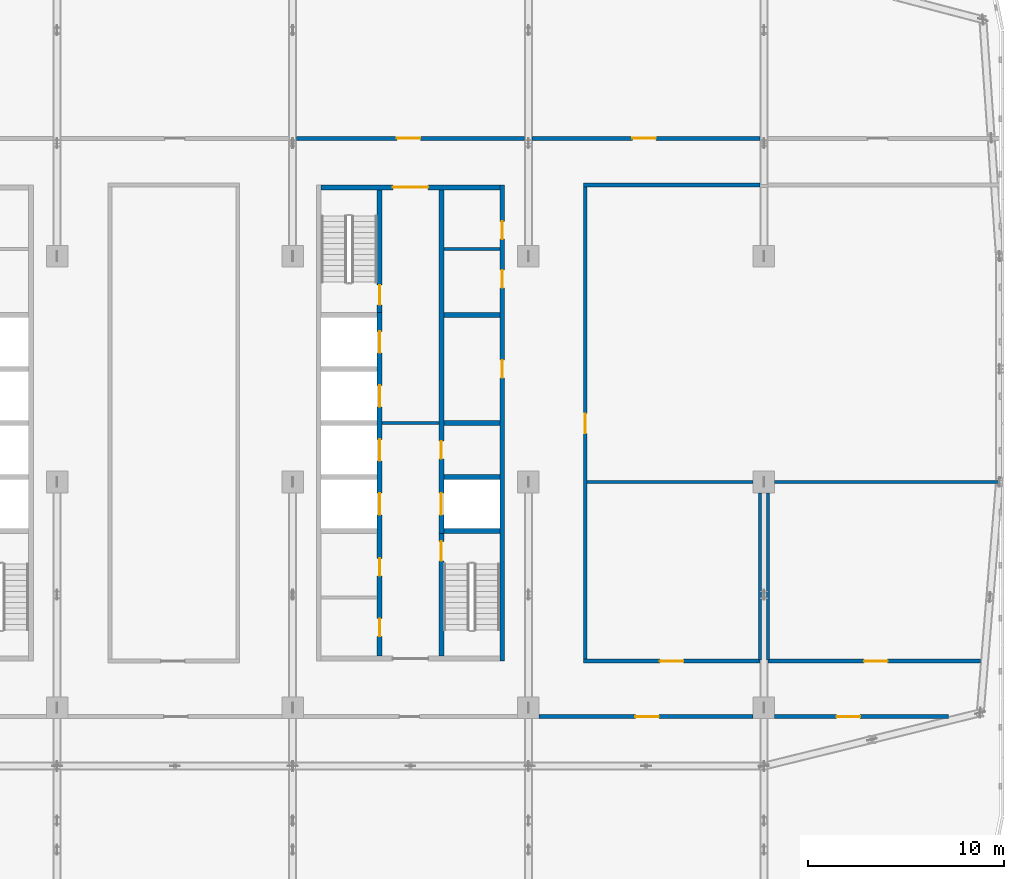
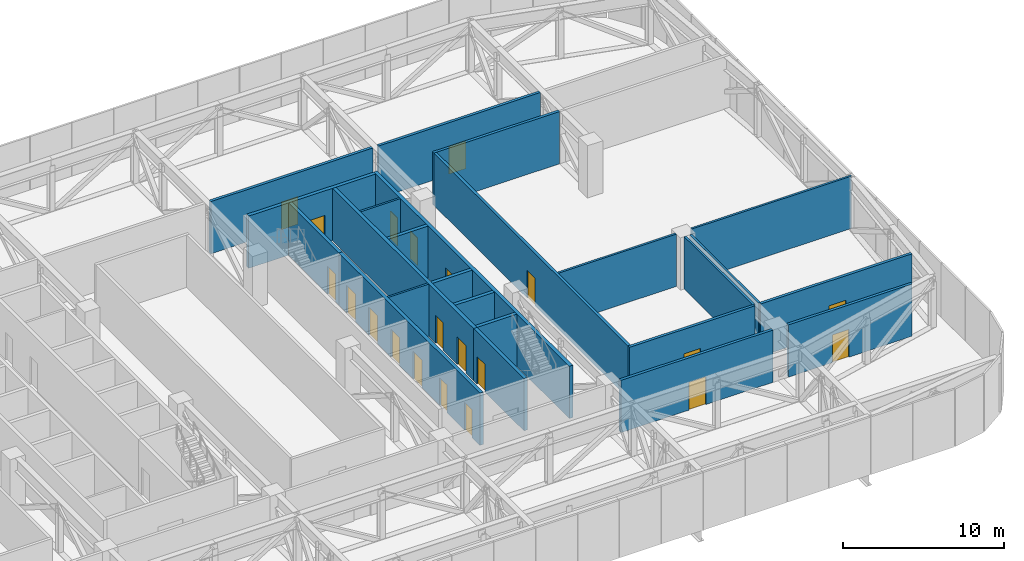
# One storey, part 15 of 28: 24 walls, 21 doors, 21 openings.
"""IFC4 building model written with IfcOpenShell, lengths in metres."""

from ifc_helpers import new_model, si_unit, direction, frame, frame_2d, origin, place, context, subcontext, project, spatial, rectangle, extrude, material, layer, layer_set, type_object, element, fill, save


model = new_model("IFC4")

# Units and contexts
model_context = context("Model", 3, precision=1e-05, world=origin(), true_north=direction((0.0, 1.0)))
body_context = subcontext(model_context, "Body", "Model", "MODEL_VIEW")
ifc_project = project(units=[si_unit("LENGTHUNIT", "METRE"), si_unit("AREAUNIT", "SQUARE_METRE"), si_unit("VOLUMEUNIT", "CUBIC_METRE"), si_unit("PLANEANGLEUNIT", "RADIAN"), si_unit("MASSUNIT", "GRAM", prefix="KILO")], contexts=[model_context])

# Site, building, storey
site_placement = place(None, origin())
site = spatial("IfcSite", under=ifc_project, at=site_placement, CompositionType="ELEMENT")
building_placement = place(site_placement, origin())
building = spatial("IfcBuilding", under=site, at=building_placement, Name="Mahtab Terrace Research Tower", CompositionType="ELEMENT")
storey_placement = place(building_placement, frame((0.0, 0.0, 224.300048828125)))
storey = spatial("IfcBuildingStorey", under=building, at=storey_placement, Name="L54", CompositionType="ELEMENT", Elevation=224.300048828125)

# Walls
ifc_material_1 = material(Name="Gypsum board partition")
ifc_layer_1 = layer(ifc_material_1, 0.14990234375)
ifc_layer_set_1 = layer_set([ifc_layer_1], Name="Core partition 150")
wall_type_1 = type_object("IfcWallType", Name="Core partition 150", PredefinedType="PARTITIONING", material=ifc_layer_set_1)
wall_1_placement = place(storey_placement, frame((22.550048828125, 3.0, 0.0), z_axis=(0.0, 0.0, 1.0), x_axis=(1.0, 0.0, 0.0)))
element("IfcWall", 1, at=wall_1_placement, inside=storey, type_object=wall_type_1, Name="Core wall C ffl", PredefinedType="PARTITIONING", context=body_context, shape_type="SweptSolid", body=[
    extrude(rectangle(XDim=2.89990234375, YDim=0.14990234375, at=frame_2d((1.449951171875, 0.0))), origin(), (0.0, 0.0, 1.0), 3.9599609375),
])
wall_2_placement = place(storey_placement, frame((25.699951171875, 11.875, 0.0), z_axis=(0.0, 0.0, 1.0), x_axis=(1.0, 0.0, 0.0)))
element("IfcWall", 2, at=wall_2_placement, inside=storey, type_object=wall_type_1, Name="Core wall C pEN888", PredefinedType="PARTITIONING", context=body_context, shape_type="SweptSolid", body=[
    extrude(rectangle(XDim=2.85009765625, YDim=0.14990234375, at=frame_2d((1.425048828125, 0.0))), origin(), (0.0, 0.0, 1.0), 3.9599609375),
])

# Wall, openings, doors
ifc_material_2 = material(Name="Concrete C70/85", Category="concrete")
ifc_layer_2 = layer(ifc_material_2, 0.25)
ifc_layer_set_2 = layer_set([ifc_layer_2], Name="Core wall 250")
wall_type_2 = type_object("IfcWallType", Name="Core wall 250", PredefinedType="SOLIDWALL", material=ifc_layer_set_2)
wall_3_placement = place(storey_placement, frame((28.675048828125, -9.125, 0.0), z_axis=(0.0, 0.0, 1.0), x_axis=(0.0, 1.0, 0.0)))
wall_3 = element("IfcWall", 3, at=wall_3_placement, inside=storey, type_object=wall_type_2, Name="Core wall C outerE", PredefinedType="SOLIDWALL", context=body_context, shape_type="SweptSolid", body=[
    extrude(rectangle(XDim=24.25, YDim=0.25, at=frame_2d((12.125, 0.0))), origin(), (0.0, 0.0, 1.0), 3.9599609375),
])
opening_1_placement = place(wall_3_placement, frame((14.425048828125, 0.0, 0.0)))
opening_1 = element("IfcOpeningElement", 4, at=opening_1_placement, cuts=wall_3, Name="Opening C-R2", PredefinedType="OPENING", context=body_context, shape_type="SweptSolid", body=[
    extrude(rectangle(XDim=0.89990234375, YDim=2.10009765625, at=frame_2d((0.449951171875, 1.050048828125))), frame((0.0, 0.135009765625, 0.0), z_axis=(0.0, -1.0, 0.0), x_axis=(1.0, 0.0, 0.0)), (0.0, 0.0, 1.0), 0.27001953125),
])
opening_2_placement = place(wall_3_placement, frame((19.012451171875, 0.0, 0.0)))
opening_2 = element("IfcOpeningElement", 5, at=opening_2_placement, cuts=wall_3, Name="Opening C-R5", PredefinedType="OPENING", context=body_context, shape_type="SweptSolid", body=[
    extrude(rectangle(XDim=0.89990234375, YDim=2.10009765625, at=frame_2d((0.449951171875, 1.050048828125))), frame((0.0, 0.135009765625, 0.0), z_axis=(0.0, -1.0, 0.0), x_axis=(1.0, 0.0, 0.0)), (0.0, 0.0, 1.0), 0.27001953125),
])
opening_3_placement = place(wall_3_placement, frame((21.49169921875, 0.0, 0.0)))
opening_3 = element("IfcOpeningElement", 6, at=opening_3_placement, cuts=wall_3, Name="Opening C-R6", PredefinedType="OPENING", context=body_context, shape_type="SweptSolid", body=[
    extrude(rectangle(XDim=0.89990234375, YDim=2.10009765625, at=frame_2d((0.449951171875, 1.050048828125))), frame((0.0, 0.135009765625, 0.0), z_axis=(0.0, -1.0, 0.0), x_axis=(1.0, 0.0, 0.0)), (0.0, 0.0, 1.0), 0.27001953125),
])
ifc_material_3 = material(Name="Steel fire door", Category="steel")
door_type_1 = type_object("IfcDoorType", Name="Room door 900x2100 1 HR", OperationType="NOTDEFINED", PredefinedType="DOOR", material=ifc_material_3)
door_1_placement = place(opening_1_placement, origin())
door_1 = element("IfcDoor", 7, at=door_1_placement, inside=storey, type_object=door_type_1, Name="Plant room door", OperationType="SINGLE_SWING_RIGHT", OverallHeight=2.10009765625, OverallWidth=0.89990234375, PredefinedType="DOOR", context=body_context, shape_type="SweptSolid", body=[
    extrude(rectangle(XDim=0.89990234375, YDim=2.10009765625, at=frame_2d((0.449951171875, 1.050048828125))), frame((0.0, 0.02490234375, 0.0), z_axis=(0.0, -1.0, 0.0), x_axis=(1.0, 0.0, 0.0)), (0.0, 0.0, 1.0), 0.050048828125),
])
fill(opening_1, door_1)
door_2_placement = place(opening_2_placement, origin())
door_2 = element("IfcDoor", 8, at=door_2_placement, inside=storey, type_object=door_type_1, Name="Housekeeping store door", OperationType="SINGLE_SWING_LEFT", OverallHeight=2.10009765625, OverallWidth=0.89990234375, PredefinedType="DOOR", context=body_context, shape_type="SweptSolid", body=[
    extrude(rectangle(XDim=0.89990234375, YDim=2.10009765625, at=frame_2d((0.449951171875, 1.050048828125))), frame((0.0, 0.02490234375, 0.0), z_axis=(0.0, -1.0, 0.0), x_axis=(1.0, 0.0, 0.0)), (0.0, 0.0, 1.0), 0.050048828125),
])
fill(opening_2, door_2)
door_3_placement = place(opening_3_placement, origin())
door_3 = element("IfcDoor", 9, at=door_3_placement, inside=storey, type_object=door_type_1, Name="Electrical riser room door", OperationType="SINGLE_SWING_RIGHT", OverallHeight=2.10009765625, OverallWidth=0.89990234375, PredefinedType="DOOR", context=body_context, shape_type="SweptSolid", body=[
    extrude(rectangle(XDim=0.89990234375, YDim=2.10009765625, at=frame_2d((0.449951171875, 1.050048828125))), frame((0.0, 0.02490234375, 0.0), z_axis=(0.0, -1.0, 0.0), x_axis=(1.0, 0.0, 0.0)), (0.0, 0.0, 1.0), 0.050048828125),
])
fill(opening_3, door_3)

# Wall, opening, door
wall_4_placement = place(storey_placement, frame((19.449951171875, 15.0, 0.0), z_axis=(0.0, 0.0, 1.0), x_axis=(1.0, 0.0, 0.0)))
wall_4 = element("IfcWall", 10, at=wall_4_placement, inside=storey, type_object=wall_type_2, Name="Core wall C endN", PredefinedType="SOLIDWALL", context=body_context, shape_type="SweptSolid", body=[
    extrude(rectangle(XDim=9.10009765625, YDim=0.25, at=frame_2d((4.550048828125, 0.0))), origin(), (0.0, 0.0, 1.0), 3.9599609375),
])
opening_4_placement = place(wall_4_placement, frame((3.64990234375, 0.0, 0.0)))
opening_4 = element("IfcOpeningElement", 11, at=opening_4_placement, cuts=wall_4, Name="Opening C-N1", PredefinedType="OPENING", context=body_context, shape_type="SweptSolid", body=[
    extrude(rectangle(XDim=1.800048828125, YDim=2.10009765625, at=frame_2d((0.89990234375, 1.050048828125))), frame((0.0, 0.135009765625, 0.0), z_axis=(0.0, -1.0, 0.0), x_axis=(1.0, 0.0, 0.0)), (0.0, 0.0, 1.0), 0.27001953125),
])
door_type_2 = type_object("IfcDoorType", Name="Lobby double door 1800x2100 1 HR", OperationType="DOUBLE_DOOR_SINGLE_SWING", PredefinedType="DOOR", material=ifc_material_3)
door_4_placement = place(opening_4_placement, origin())
door_4 = element("IfcDoor", 12, at=door_4_placement, inside=storey, type_object=door_type_2, Name="Core entrance door C N", OperationType="DOUBLE_DOOR_SINGLE_SWING", OverallHeight=2.10009765625, OverallWidth=1.800048828125, PredefinedType="DOOR", context=body_context, shape_type="SweptSolid", body=[
    extrude(rectangle(XDim=1.800048828125, YDim=2.10009765625, at=frame_2d((0.89990234375, 1.050048828125))), frame((0.0, 0.02490234375, 0.0), z_axis=(0.0, -1.0, 0.0), x_axis=(1.0, 0.0, 0.0)), (0.0, 0.0, 1.0), 0.050048828125),
])
fill(opening_4, door_4)

# Wall, openings, doors
wall_5_placement = place(storey_placement, frame((22.425048828125, -8.875, 0.0), z_axis=(0.0, 0.0, 1.0), x_axis=(0.0, 1.0, 0.0)))
wall_5 = element("IfcWall", 13, at=wall_5_placement, inside=storey, type_object=wall_type_2, Name="Core wall C innerWSL", PredefinedType="SOLIDWALL", context=body_context, shape_type="SweptSolid", body=[
    extrude(rectangle(XDim=17.5, YDim=0.25, at=frame_2d((8.75, 0.0))), origin(), (0.0, 0.0, 1.0), 3.9599609375),
])
opening_5_placement = place(wall_5_placement, frame((7.199951171875, 0.0, 0.0)))
opening_5 = element("IfcOpeningElement", 14, at=opening_5_placement, cuts=wall_5, Name="Opening LD17-L54", PredefinedType="OPENING", context=body_context, shape_type="SweptSolid", body=[
    extrude(rectangle(XDim=1.10009765625, YDim=2.10009765625, at=frame_2d((0.550048828125, 1.050048828125))), frame((0.0, 0.135009765625, 0.0), z_axis=(0.0, -1.0, 0.0), x_axis=(1.0, 0.0, 0.0)), (0.0, 0.0, 1.0), 0.27001953125),
])
opening_6_placement = place(wall_5_placement, frame((9.949951171875, 0.0, 0.0)))
opening_6 = element("IfcOpeningElement", 15, at=opening_6_placement, cuts=wall_5, Name="Opening LD18-L54", PredefinedType="OPENING", context=body_context, shape_type="SweptSolid", body=[
    extrude(rectangle(XDim=1.10009765625, YDim=2.10009765625, at=frame_2d((0.550048828125, 1.050048828125))), frame((0.0, 0.135009765625, 0.0), z_axis=(0.0, -1.0, 0.0), x_axis=(1.0, 0.0, 0.0)), (0.0, 0.0, 1.0), 0.27001953125),
])
opening_7_placement = place(wall_5_placement, frame((12.699951171875, 0.0, 0.0)))
opening_7 = element("IfcOpeningElement", 16, at=opening_7_placement, cuts=wall_5, Name="Opening LD19-L54", PredefinedType="OPENING", context=body_context, shape_type="SweptSolid", body=[
    extrude(rectangle(XDim=1.10009765625, YDim=2.10009765625, at=frame_2d((0.550048828125, 1.050048828125))), frame((0.0, 0.135009765625, 0.0), z_axis=(0.0, -1.0, 0.0), x_axis=(1.0, 0.0, 0.0)), (0.0, 0.0, 1.0), 0.27001953125),
])
opening_8_placement = place(wall_5_placement, frame((15.449951171875, 0.0, 0.0)))
opening_8 = element("IfcOpeningElement", 17, at=opening_8_placement, cuts=wall_5, Name="Opening LD20-L54", PredefinedType="OPENING", context=body_context, shape_type="SweptSolid", body=[
    extrude(rectangle(XDim=1.10009765625, YDim=2.10009765625, at=frame_2d((0.550048828125, 1.050048828125))), frame((0.0, 0.135009765625, 0.0), z_axis=(0.0, -1.0, 0.0), x_axis=(1.0, 0.0, 0.0)), (0.0, 0.0, 1.0), 0.27001953125),
])
opening_9_placement = place(wall_5_placement, frame((1.012451171875, 0.0, 0.0)))
opening_9 = element("IfcOpeningElement", 18, at=opening_9_placement, cuts=wall_5, Name="Opening C-R3", PredefinedType="OPENING", context=body_context, shape_type="SweptSolid", body=[
    extrude(rectangle(XDim=0.89990234375, YDim=2.10009765625, at=frame_2d((0.449951171875, 1.050048828125))), frame((0.0, 0.135009765625, 0.0), z_axis=(0.0, -1.0, 0.0), x_axis=(1.0, 0.0, 0.0)), (0.0, 0.0, 1.0), 0.27001953125),
])
opening_10_placement = place(wall_5_placement, frame((4.08740234375, 0.0, 0.0)))
opening_10 = element("IfcOpeningElement", 19, at=opening_10_placement, cuts=wall_5, Name="Opening C-R4", PredefinedType="OPENING", context=body_context, shape_type="SweptSolid", body=[
    extrude(rectangle(XDim=0.89990234375, YDim=2.10009765625, at=frame_2d((0.449951171875, 1.050048828125))), frame((0.0, 0.135009765625, 0.0), z_axis=(0.0, -1.0, 0.0), x_axis=(1.0, 0.0, 0.0)), (0.0, 0.0, 1.0), 0.27001953125),
])
ifc_material_4 = material(Name="Stainless steel AISI 304", Category="steel")
door_type_3 = type_object("IfcDoorType", Name="Landing door 1100x2100", OperationType="DOUBLE_DOOR_SLIDING", PredefinedType="DOOR", material=ifc_material_4)
door_5_placement = place(opening_5_placement, origin())
door_5 = element("IfcDoor", 20, at=door_5_placement, inside=storey, type_object=door_type_3, Name="Landing door SV1 L54", OperationType="DOUBLE_DOOR_SLIDING", OverallHeight=2.10009765625, OverallWidth=1.10009765625, PredefinedType="DOOR", context=body_context, shape_type="SweptSolid", body=[
    extrude(rectangle(XDim=1.10009765625, YDim=2.10009765625, at=frame_2d((0.550048828125, 1.050048828125))), frame((0.0, 0.02490234375, 0.0), z_axis=(0.0, -1.0, 0.0), x_axis=(1.0, 0.0, 0.0)), (0.0, 0.0, 1.0), 0.050048828125),
])
fill(opening_5, door_5)
door_6_placement = place(opening_6_placement, origin())
door_6 = element("IfcDoor", 21, at=door_6_placement, inside=storey, type_object=door_type_3, Name="Landing door SV2 L54", OperationType="DOUBLE_DOOR_SLIDING", OverallHeight=2.10009765625, OverallWidth=1.10009765625, PredefinedType="DOOR", context=body_context, shape_type="SweptSolid", body=[
    extrude(rectangle(XDim=1.10009765625, YDim=2.10009765625, at=frame_2d((0.550048828125, 1.050048828125))), frame((0.0, 0.02490234375, 0.0), z_axis=(0.0, -1.0, 0.0), x_axis=(1.0, 0.0, 0.0)), (0.0, 0.0, 1.0), 0.050048828125),
])
fill(opening_6, door_6)
door_7_placement = place(opening_7_placement, origin())
door_7 = element("IfcDoor", 22, at=door_7_placement, inside=storey, type_object=door_type_3, Name="Landing door FF1 L54", OperationType="DOUBLE_DOOR_SLIDING", OverallHeight=2.10009765625, OverallWidth=1.10009765625, PredefinedType="DOOR", context=body_context, shape_type="SweptSolid", body=[
    extrude(rectangle(XDim=1.10009765625, YDim=2.10009765625, at=frame_2d((0.550048828125, 1.050048828125))), frame((0.0, 0.02490234375, 0.0), z_axis=(0.0, -1.0, 0.0), x_axis=(1.0, 0.0, 0.0)), (0.0, 0.0, 1.0), 0.050048828125),
])
fill(opening_7, door_7)
door_8_placement = place(opening_8_placement, origin())
door_8 = element("IfcDoor", 23, at=door_8_placement, inside=storey, type_object=door_type_3, Name="Landing door FF2 L54", OperationType="DOUBLE_DOOR_SLIDING", OverallHeight=2.10009765625, OverallWidth=1.10009765625, PredefinedType="DOOR", context=body_context, shape_type="SweptSolid", body=[
    extrude(rectangle(XDim=1.10009765625, YDim=2.10009765625, at=frame_2d((0.550048828125, 1.050048828125))), frame((0.0, 0.02490234375, 0.0), z_axis=(0.0, -1.0, 0.0), x_axis=(1.0, 0.0, 0.0)), (0.0, 0.0, 1.0), 0.050048828125),
])
fill(opening_8, door_8)
door_9_placement = place(opening_9_placement, origin())
door_9 = element("IfcDoor", 24, at=door_9_placement, inside=storey, type_object=door_type_1, Name="Staff WC door", OperationType="SINGLE_SWING_LEFT", OverallHeight=2.10009765625, OverallWidth=0.89990234375, PredefinedType="DOOR", context=body_context, shape_type="SweptSolid", body=[
    extrude(rectangle(XDim=0.89990234375, YDim=2.10009765625, at=frame_2d((0.449951171875, 1.050048828125))), frame((0.0, 0.02490234375, 0.0), z_axis=(0.0, -1.0, 0.0), x_axis=(1.0, 0.0, 0.0)), (0.0, 0.0, 1.0), 0.050048828125),
])
fill(opening_9, door_9)
door_10_placement = place(opening_10_placement, origin())
door_10 = element("IfcDoor", 25, at=door_10_placement, inside=storey, type_object=door_type_1, Name="Accessible WC door", OperationType="SINGLE_SWING_RIGHT", OverallHeight=2.10009765625, OverallWidth=0.89990234375, PredefinedType="DOOR", context=body_context, shape_type="SweptSolid", body=[
    extrude(rectangle(XDim=0.89990234375, YDim=2.10009765625, at=frame_2d((0.449951171875, 1.050048828125))), frame((0.0, 0.02490234375, 0.0), z_axis=(0.0, -1.0, 0.0), x_axis=(1.0, 0.0, 0.0)), (0.0, 0.0, 1.0), 0.050048828125),
])
fill(opening_10, door_10)

# Wall, opening, door
wall_6_placement = place(storey_placement, frame((22.425048828125, 14.875, 0.0), z_axis=(0.0, 0.0, 1.0), x_axis=(0.0, -1.0, 0.0)))
wall_6 = element("IfcWall", 26, at=wall_6_placement, inside=storey, type_object=wall_type_2, Name="Core wall C innerWN", PredefinedType="SOLIDWALL", context=body_context, shape_type="SweptSolid", body=[
    extrude(rectangle(XDim=6.25, YDim=0.25, at=frame_2d((3.125, 0.0))), origin(), (0.0, 0.0, 1.0), 3.9599609375),
])
opening_11_placement = place(wall_6_placement, frame((4.85009765625, 0.0, 0.0)))
opening_11 = element("IfcOpeningElement", 27, at=opening_11_placement, cuts=wall_6, Name="Opening C-ST3", PredefinedType="OPENING", context=body_context, shape_type="SweptSolid", body=[
    extrude(rectangle(XDim=1.0, YDim=2.10009765625, at=frame_2d((0.5, 1.050048828125))), frame((0.0, 0.135009765625, 0.0), z_axis=(0.0, -1.0, 0.0), x_axis=(1.0, 0.0, 0.0)), (0.0, 0.0, 1.0), 0.27001953125),
])
door_type_4 = type_object("IfcDoorType", Name="Stair door 1000x2100 1.5 HR", OperationType="NOTDEFINED", PredefinedType="DOOR", material=ifc_material_3)
door_11_placement = place(opening_11_placement, origin())
door_11 = element("IfcDoor", 28, at=door_11_placement, inside=storey, type_object=door_type_4, Name="Stair door ST3 L54", OperationType="SINGLE_SWING_LEFT", OverallHeight=2.10009765625, OverallWidth=1.0, PredefinedType="DOOR", context=body_context, shape_type="SweptSolid", body=[
    extrude(rectangle(XDim=1.0, YDim=2.10009765625, at=frame_2d((0.5, 1.050048828125))), frame((0.0, 0.02490234375, 0.0), z_axis=(0.0, -1.0, 0.0), x_axis=(1.0, 0.0, 0.0)), (0.0, 0.0, 1.0), 0.050048828125),
])
fill(opening_11, door_11)

wall_7_placement = place(storey_placement, frame((25.574951171875, -8.875, 0.0), z_axis=(0.0, 0.0, 1.0), x_axis=(0.0, 1.0, 0.0)))
wall_7 = element("IfcWall", 29, at=wall_7_placement, inside=storey, type_object=wall_type_2, Name="Core wall C innerES", PredefinedType="SOLIDWALL", context=body_context, shape_type="SweptSolid", body=[
    extrude(rectangle(XDim=6.25, YDim=0.25, at=frame_2d((3.125, 0.0))), origin(), (0.0, 0.0, 1.0), 3.9599609375),
])
opening_12_placement = place(wall_7_placement, frame((4.85009765625, 0.0, 0.0)))
opening_12 = element("IfcOpeningElement", 30, at=opening_12_placement, cuts=wall_7, Name="Opening C-ST4", PredefinedType="OPENING", context=body_context, shape_type="SweptSolid", body=[
    extrude(rectangle(XDim=1.0, YDim=2.10009765625, at=frame_2d((0.5, 1.050048828125))), frame((0.0, 0.135009765625, 0.0), z_axis=(0.0, -1.0, 0.0), x_axis=(1.0, 0.0, 0.0)), (0.0, 0.0, 1.0), 0.27001953125),
])
door_12_placement = place(opening_12_placement, origin())
door_12 = element("IfcDoor", 31, at=door_12_placement, inside=storey, type_object=door_type_4, Name="Stair door ST4 L54", OperationType="SINGLE_SWING_RIGHT", OverallHeight=2.10009765625, OverallWidth=1.0, PredefinedType="DOOR", context=body_context, shape_type="SweptSolid", body=[
    extrude(rectangle(XDim=1.0, YDim=2.10009765625, at=frame_2d((0.5, 1.050048828125))), frame((0.0, 0.02490234375, 0.0), z_axis=(0.0, -1.0, 0.0), x_axis=(1.0, 0.0, 0.0)), (0.0, 0.0, 1.0), 0.050048828125),
])
fill(opening_12, door_12)

# Wall, openings, doors
wall_8_placement = place(storey_placement, frame((25.574951171875, 14.875, 0.0), z_axis=(0.0, 0.0, 1.0), x_axis=(0.0, -1.0, 0.0)))
wall_8 = element("IfcWall", 32, at=wall_8_placement, inside=storey, type_object=wall_type_2, Name="Core wall C innerELN", PredefinedType="SOLIDWALL", context=body_context, shape_type="SweptSolid", body=[
    extrude(rectangle(XDim=17.5, YDim=0.25, at=frame_2d((8.75, 0.0))), origin(), (0.0, 0.0, 1.0), 3.9599609375),
])
opening_13_placement = place(wall_8_placement, frame((15.449951171875, 0.0, 0.0)))
opening_13 = element("IfcOpeningElement", 33, at=opening_13_placement, cuts=wall_8, Name="Opening LD21-L54", PredefinedType="OPENING", context=body_context, shape_type="SweptSolid", body=[
    extrude(rectangle(XDim=1.10009765625, YDim=2.10009765625, at=frame_2d((0.550048828125, 1.050048828125))), frame((0.0, 0.135009765625, 0.0), z_axis=(0.0, -1.0, 0.0), x_axis=(1.0, 0.0, 0.0)), (0.0, 0.0, 1.0), 0.27001953125),
])
opening_14_placement = place(wall_8_placement, frame((12.800048828125, 0.0, 0.0)))
opening_14 = element("IfcOpeningElement", 34, at=opening_14_placement, cuts=wall_8, Name="Opening C-R1", PredefinedType="OPENING", context=body_context, shape_type="SweptSolid", body=[
    extrude(rectangle(XDim=0.89990234375, YDim=2.10009765625, at=frame_2d((0.449951171875, 1.050048828125))), frame((0.0, 0.135009765625, 0.0), z_axis=(0.0, -1.0, 0.0), x_axis=(1.0, 0.0, 0.0)), (0.0, 0.0, 1.0), 0.27001953125),
])
door_13_placement = place(opening_13_placement, origin())
door_13 = element("IfcDoor", 35, at=door_13_placement, inside=storey, type_object=door_type_3, Name="Landing door SV3 L54", OperationType="DOUBLE_DOOR_SLIDING", OverallHeight=2.10009765625, OverallWidth=1.10009765625, PredefinedType="DOOR", context=body_context, shape_type="SweptSolid", body=[
    extrude(rectangle(XDim=1.10009765625, YDim=2.10009765625, at=frame_2d((0.550048828125, 1.050048828125))), frame((0.0, 0.02490234375, 0.0), z_axis=(0.0, -1.0, 0.0), x_axis=(1.0, 0.0, 0.0)), (0.0, 0.0, 1.0), 0.050048828125),
])
fill(opening_13, door_13)
door_14_placement = place(opening_14_placement, origin())
door_14 = element("IfcDoor", 36, at=door_14_placement, inside=storey, type_object=door_type_1, Name="Plant room door", OperationType="SINGLE_SWING_LEFT", OverallHeight=2.10009765625, OverallWidth=0.89990234375, PredefinedType="DOOR", context=body_context, shape_type="SweptSolid", body=[
    extrude(rectangle(XDim=0.89990234375, YDim=2.10009765625, at=frame_2d((0.449951171875, 1.050048828125))), frame((0.0, 0.02490234375, 0.0), z_axis=(0.0, -1.0, 0.0), x_axis=(1.0, 0.0, 0.0)), (0.0, 0.0, 1.0), 0.050048828125),
])
fill(opening_14, door_14)

# Walls
for number, where, z_axis, x_axis, name in (
    (37, (25.699951171875, -2.5, 0.0), (0.0, 0.0, 1.0), (1.0, 0.0, 0.0), "Core wall C divE0"),
    (38, (25.699951171875, 0.25, 0.0), (0.0, 0.0, 1.0), (1.0, 0.0, 0.0), "Core wall C divE1"),
    (39, (25.699951171875, 3.0, 0.0), (0.0, 0.0, 1.0), (1.0, 0.0, 0.0), "Core wall C divE2"),
    (40, (25.699951171875, 8.5, 0.0), (0.0, 0.0, 1.0), (1.0, 0.0, 0.0), "Core wall C divE4"),
):
    element("IfcWall", number, at=place(storey_placement, frame(where, z_axis=z_axis, x_axis=x_axis)), inside=storey, type_object=wall_type_2, Name=name, PredefinedType="SOLIDWALL", context=body_context, shape_type="SweptSolid", body=[
        extrude(rectangle(XDim=2.85009765625, YDim=0.25, at=frame_2d((1.425048828125, 0.0))), origin(), (0.0, 0.0, 1.0), 3.9599609375),
    ])

# Wall, opening, door
ifc_material_5 = material(Name="Gypsum board corridor wall on steel studs", Category="steel")
ifc_layer_3 = layer(ifc_material_5, 0.199951171875)
ifc_layer_set_3 = layer_set([ifc_layer_3], Name="WALL CORRIDOR 200")
wall_type_3 = type_object("IfcWallType", Name="WALL CORRIDOR 200", PredefinedType="PARTITIONING", material=ifc_layer_set_3)
wall_9_placement = place(storey_placement, frame((30.550048828125, -11.949951171875, 0.0), z_axis=(0.0, 0.0, 1.0), x_axis=(1.0, 0.0, 0.0)))
wall_9 = element("IfcWall", 41, at=wall_9_placement, inside=storey, type_object=wall_type_3, Name="L54-W007", PredefinedType="PARTITIONING", context=body_context, shape_type="SweptSolid", body=[
    extrude(rectangle(XDim=10.89990234375, YDim=0.199951171875, at=frame_2d((5.449951171875, 0.0))), origin(), (0.0, 0.0, 1.0), 3.9599609375),
])
opening_15_placement = place(wall_9_placement, frame((4.89990234375, 0.0, 0.0)))
opening_15 = element("IfcOpeningElement", 42, at=opening_15_placement, cuts=wall_9, Name="Opening L54-107", PredefinedType="OPENING", context=body_context, shape_type="SweptSolid", body=[
    extrude(rectangle(XDim=1.199951171875, YDim=2.10009765625, at=frame_2d((0.60009765625, 1.050048828125))), frame((0.0, 0.10986328125, 0.0), z_axis=(0.0, -1.0, 0.0), x_axis=(1.0, 0.0, 0.0)), (0.0, 0.0, 1.0), 0.219970703125),
])
ifc_material_6 = material(Name="Timber door leaf in steel frame", Category="steel")
door_type_5 = type_object("IfcDoorType", Name="DOOR 1200X2100 FD30S", OperationType="SINGLE_SWING_LEFT", PredefinedType="DOOR", material=ifc_material_6)
door_15_placement = place(opening_15_placement, origin())
door_15 = element("IfcDoor", 43, at=door_15_placement, inside=storey, type_object=door_type_5, Name="Door L54-107", OperationType="SINGLE_SWING_LEFT", OverallHeight=2.10009765625, OverallWidth=1.199951171875, PredefinedType="DOOR", context=body_context, shape_type="SweptSolid", body=[
    extrude(rectangle(XDim=1.199951171875, YDim=2.10009765625, at=frame_2d((0.60009765625, 1.050048828125))), frame((0.0, 0.02490234375, 0.0), z_axis=(0.0, -1.0, 0.0), x_axis=(1.0, 0.0, 0.0)), (0.0, 0.0, 1.0), 0.050048828125),
])
fill(opening_15, door_15)

wall_10_placement = place(storey_placement, frame((42.550048828125, -11.949951171875, 0.0), z_axis=(0.0, 0.0, 1.0), x_axis=(1.0, 0.0, 0.0)))
wall_10 = element("IfcWall", 44, at=wall_10_placement, inside=storey, type_object=wall_type_3, Name="L54-W008", PredefinedType="PARTITIONING", context=body_context, shape_type="SweptSolid", body=[
    extrude(rectangle(XDim=8.856201171875, YDim=0.199951171875, at=frame_2d((4.42822265625, 0.0))), origin(), (0.0, 0.0, 1.0), 3.9599609375),
])
opening_16_placement = place(wall_10_placement, frame((3.14990234375, 0.0, 0.0)))
opening_16 = element("IfcOpeningElement", 45, at=opening_16_placement, cuts=wall_10, Name="Opening L54-108", PredefinedType="OPENING", context=body_context, shape_type="SweptSolid", body=[
    extrude(rectangle(XDim=1.199951171875, YDim=2.10009765625, at=frame_2d((0.60009765625, 1.050048828125))), frame((0.0, 0.10986328125, 0.0), z_axis=(0.0, -1.0, 0.0), x_axis=(1.0, 0.0, 0.0)), (0.0, 0.0, 1.0), 0.219970703125),
])
door_16_placement = place(opening_16_placement, origin())
door_16 = element("IfcDoor", 46, at=door_16_placement, inside=storey, type_object=door_type_5, Name="Door L54-108", OperationType="SINGLE_SWING_RIGHT", OverallHeight=2.10009765625, OverallWidth=1.199951171875, PredefinedType="DOOR", context=body_context, shape_type="SweptSolid", body=[
    extrude(rectangle(XDim=1.199951171875, YDim=2.10009765625, at=frame_2d((0.60009765625, 1.050048828125))), frame((0.0, 0.02490234375, 0.0), z_axis=(0.0, -1.0, 0.0), x_axis=(1.0, 0.0, 0.0)), (0.0, 0.0, 1.0), 0.050048828125),
])
fill(opening_16, door_16)

wall_11_placement = place(storey_placement, frame((32.800048828125, -9.125, 0.0), z_axis=(0.0, 0.0, 1.0), x_axis=(1.0, 0.0, 0.0)))
wall_11 = element("IfcWall", 47, at=wall_11_placement, inside=storey, type_object=wall_type_3, Name="L54-W012", PredefinedType="PARTITIONING", context=body_context, shape_type="SweptSolid", body=[
    extrude(rectangle(XDim=9.0, YDim=0.199951171875, at=frame_2d((4.5, 0.0))), origin(), (0.0, 0.0, 1.0), 3.9599609375),
])
opening_17_placement = place(wall_11_placement, frame((3.89990234375, 0.0, 0.0)))
opening_17 = element("IfcOpeningElement", 48, at=opening_17_placement, cuts=wall_11, Name="Opening L54-110", PredefinedType="OPENING", context=body_context, shape_type="SweptSolid", body=[
    extrude(rectangle(XDim=1.199951171875, YDim=2.10009765625, at=frame_2d((0.60009765625, 1.050048828125))), frame((0.0, 0.10986328125, 0.0), z_axis=(0.0, -1.0, 0.0), x_axis=(1.0, 0.0, 0.0)), (0.0, 0.0, 1.0), 0.219970703125),
])
door_17_placement = place(opening_17_placement, origin())
door_17 = element("IfcDoor", 49, at=door_17_placement, inside=storey, type_object=door_type_5, Name="Door L54-110", OperationType="SINGLE_SWING_LEFT", OverallHeight=2.10009765625, OverallWidth=1.199951171875, PredefinedType="DOOR", context=body_context, shape_type="SweptSolid", body=[
    extrude(rectangle(XDim=1.199951171875, YDim=2.10009765625, at=frame_2d((0.60009765625, 1.050048828125))), frame((0.0, 0.02490234375, 0.0), z_axis=(0.0, -1.0, 0.0), x_axis=(1.0, 0.0, 0.0)), (0.0, 0.0, 1.0), 0.050048828125),
])
fill(opening_17, door_17)

wall_12_placement = place(storey_placement, frame((42.199951171875, -9.125, 0.0), z_axis=(0.0, 0.0, 1.0), x_axis=(1.0, 0.0, 0.0)))
wall_12 = element("IfcWall", 50, at=wall_12_placement, inside=storey, type_object=wall_type_3, Name="L54-W013", PredefinedType="PARTITIONING", context=body_context, shape_type="SweptSolid", body=[
    extrude(rectangle(XDim=10.83984375, YDim=0.199951171875, at=frame_2d((5.419921875, 0.0))), origin(), (0.0, 0.0, 1.0), 3.9599609375),
])
opening_18_placement = place(wall_12_placement, frame((4.89990234375, 0.0, 0.0)))
opening_18 = element("IfcOpeningElement", 51, at=opening_18_placement, cuts=wall_12, Name="Opening L54-111", PredefinedType="OPENING", context=body_context, shape_type="SweptSolid", body=[
    extrude(rectangle(XDim=1.199951171875, YDim=2.10009765625, at=frame_2d((0.60009765625, 1.050048828125))), frame((0.0, 0.10986328125, 0.0), z_axis=(0.0, -1.0, 0.0), x_axis=(1.0, 0.0, 0.0)), (0.0, 0.0, 1.0), 0.219970703125),
])
door_18_placement = place(opening_18_placement, origin())
door_18 = element("IfcDoor", 52, at=door_18_placement, inside=storey, type_object=door_type_5, Name="Door L54-111", OperationType="SINGLE_SWING_RIGHT", OverallHeight=2.10009765625, OverallWidth=1.199951171875, PredefinedType="DOOR", context=body_context, shape_type="SweptSolid", body=[
    extrude(rectangle(XDim=1.199951171875, YDim=2.10009765625, at=frame_2d((0.60009765625, 1.050048828125))), frame((0.0, 0.02490234375, 0.0), z_axis=(0.0, -1.0, 0.0), x_axis=(1.0, 0.0, 0.0)), (0.0, 0.0, 1.0), 0.050048828125),
])
fill(opening_18, door_18)

# Wall
wall_13_placement = place(storey_placement, frame((32.800048828125, 15.125, 0.0), z_axis=(0.0, 0.0, 1.0), x_axis=(1.0, 0.0, 0.0)))
element("IfcWall", 53, at=wall_13_placement, inside=storey, type_object=wall_type_3, Name="L54-W022", PredefinedType="PARTITIONING", context=body_context, shape_type="SweptSolid", body=[
    extrude(rectangle(XDim=9.0, YDim=0.199951171875, at=frame_2d((4.5, 0.0))), origin(), (0.0, 0.0, 1.0), 3.9599609375),
])

# Wall, opening, door
wall_14_placement = place(storey_placement, frame((18.199951171875, 17.5, 0.0), z_axis=(0.0, 0.0, 1.0), x_axis=(1.0, 0.0, 0.0)))
wall_14 = element("IfcWall", 54, at=wall_14_placement, inside=storey, type_object=wall_type_3, Name="L54-W029", PredefinedType="PARTITIONING", context=body_context, shape_type="SweptSolid", body=[
    extrude(rectangle(XDim=11.60009765625, YDim=0.199951171875, at=frame_2d((5.800048828125, 0.0))), origin(), (0.0, 0.0, 1.0), 3.9599609375),
])
opening_19_placement = place(wall_14_placement, frame((5.10009765625, 0.0, 0.0)))
opening_19 = element("IfcOpeningElement", 55, at=opening_19_placement, cuts=wall_14, Name="Opening L54-122", PredefinedType="OPENING", context=body_context, shape_type="SweptSolid", body=[
    extrude(rectangle(XDim=1.199951171875, YDim=2.10009765625, at=frame_2d((0.60009765625, 1.050048828125))), frame((0.0, 0.10986328125, 0.0), z_axis=(0.0, -1.0, 0.0), x_axis=(1.0, 0.0, 0.0)), (0.0, 0.0, 1.0), 0.219970703125),
])
door_19_placement = place(opening_19_placement, origin())
door_19 = element("IfcDoor", 56, at=door_19_placement, inside=storey, type_object=door_type_5, Name="Door L54-122", OperationType="SINGLE_SWING_LEFT", OverallHeight=2.10009765625, OverallWidth=1.199951171875, PredefinedType="DOOR", context=body_context, shape_type="SweptSolid", body=[
    extrude(rectangle(XDim=1.199951171875, YDim=2.10009765625, at=frame_2d((0.60009765625, 1.050048828125))), frame((0.0, 0.02490234375, 0.0), z_axis=(0.0, -1.0, 0.0), x_axis=(1.0, 0.0, 0.0)), (0.0, 0.0, 1.0), 0.050048828125),
])
fill(opening_19, door_19)

wall_15_placement = place(storey_placement, frame((30.199951171875, 17.5, 0.0), z_axis=(0.0, 0.0, 1.0), x_axis=(1.0, 0.0, 0.0)))
wall_15 = element("IfcWall", 57, at=wall_15_placement, inside=storey, type_object=wall_type_3, Name="L54-W030", PredefinedType="PARTITIONING", context=body_context, shape_type="SweptSolid", body=[
    extrude(rectangle(XDim=11.60009765625, YDim=0.199951171875, at=frame_2d((5.800048828125, 0.0))), origin(), (0.0, 0.0, 1.0), 3.9599609375),
])
opening_20_placement = place(wall_15_placement, frame((5.10009765625, 0.0, 0.0)))
opening_20 = element("IfcOpeningElement", 58, at=opening_20_placement, cuts=wall_15, Name="Opening L54-123", PredefinedType="OPENING", context=body_context, shape_type="SweptSolid", body=[
    extrude(rectangle(XDim=1.199951171875, YDim=2.10009765625, at=frame_2d((0.60009765625, 1.050048828125))), frame((0.0, 0.10986328125, 0.0), z_axis=(0.0, -1.0, 0.0), x_axis=(1.0, 0.0, 0.0)), (0.0, 0.0, 1.0), 0.219970703125),
])
door_20_placement = place(opening_20_placement, origin())
door_20 = element("IfcDoor", 59, at=door_20_placement, inside=storey, type_object=door_type_5, Name="Door L54-123", OperationType="SINGLE_SWING_LEFT", OverallHeight=2.10009765625, OverallWidth=1.199951171875, PredefinedType="DOOR", context=body_context, shape_type="SweptSolid", body=[
    extrude(rectangle(XDim=1.199951171875, YDim=2.10009765625, at=frame_2d((0.60009765625, 1.050048828125))), frame((0.0, 0.02490234375, 0.0), z_axis=(0.0, -1.0, 0.0), x_axis=(1.0, 0.0, 0.0)), (0.0, 0.0, 1.0), 0.050048828125),
])
fill(opening_20, door_20)

wall_16_placement = place(storey_placement, frame((32.89990234375, -9.02490234375, 0.0), z_axis=(0.0, 0.0, 1.0), x_axis=(0.0, 1.0, 0.0)))
wall_16 = element("IfcWall", 60, at=wall_16_placement, inside=storey, type_object=wall_type_3, Name="L54-W038", PredefinedType="PARTITIONING", context=body_context, shape_type="SweptSolid", body=[
    extrude(rectangle(XDim=24.0498046875, YDim=0.199951171875, at=frame_2d((12.02490234375, 0.0))), origin(), (0.0, 0.0, 1.0), 3.9599609375),
])
opening_21_placement = place(wall_16_placement, frame((11.5, 0.0, 0.0)))
opening_21 = element("IfcOpeningElement", 61, at=opening_21_placement, cuts=wall_16, Name="Opening L54-115", PredefinedType="OPENING", context=body_context, shape_type="SweptSolid", body=[
    extrude(rectangle(XDim=1.0, YDim=2.10009765625, at=frame_2d((0.5, 1.050048828125))), frame((0.0, 0.10986328125, 0.0), z_axis=(0.0, -1.0, 0.0), x_axis=(1.0, 0.0, 0.0)), (0.0, 0.0, 1.0), 0.219970703125),
])
door_type_6 = type_object("IfcDoorType", Name="DOOR 1000X2100 FD30S", OperationType="SINGLE_SWING_LEFT", PredefinedType="DOOR", material=ifc_material_6)
door_21_placement = place(opening_21_placement, origin())
door_21 = element("IfcDoor", 62, at=door_21_placement, inside=storey, type_object=door_type_6, Name="Door L54-115", OperationType="SINGLE_SWING_RIGHT", OverallHeight=2.10009765625, OverallWidth=1.0, PredefinedType="DOOR", context=body_context, shape_type="SweptSolid", body=[
    extrude(rectangle(XDim=1.0, YDim=2.10009765625, at=frame_2d((0.5, 1.050048828125))), frame((0.0, 0.02490234375, 0.0), z_axis=(0.0, -1.0, 0.0), x_axis=(1.0, 0.0, 0.0)), (0.0, 0.0, 1.0), 0.050048828125),
])
fill(opening_21, door_21)

# Walls
ifc_material_7 = material(Name="Gypsum board partition on steel studs", Category="steel")
ifc_layer_4 = layer(ifc_material_7, 0.14990234375)
ifc_layer_set_4 = layer_set([ifc_layer_4], Name="WALL PARTITION 150")
wall_type_4 = type_object("IfcWallType", Name="WALL PARTITION 150", PredefinedType="PARTITIONING", material=ifc_layer_set_4)
wall_17_placement = place(storey_placement, frame((33.0, 0.0, 0.0), z_axis=(0.0, 0.0, 1.0), x_axis=(1.0, 0.0, 0.0)))
element("IfcWall", 63, at=wall_17_placement, inside=storey, type_object=wall_type_4, Name="L54-W015", PredefinedType="PARTITIONING", context=body_context, shape_type="SweptSolid", body=[
    extrude(rectangle(XDim=8.449951171875, YDim=0.14990234375, at=frame_2d((4.22509765625, 0.0))), origin(), (0.0, 0.0, 1.0), 3.9599609375),
])
wall_18_placement = place(storey_placement, frame((42.550048828125, 0.0, 0.0), z_axis=(0.0, 0.0, 1.0), x_axis=(1.0, 0.0, 0.0)))
element("IfcWall", 64, at=wall_18_placement, inside=storey, type_object=wall_type_4, Name="L54-W016", PredefinedType="PARTITIONING", context=body_context, shape_type="SweptSolid", body=[
    extrude(rectangle(XDim=11.449951171875, YDim=0.14990234375, at=frame_2d((5.72509765625, 0.0))), origin(), (0.0, 0.0, 1.0), 3.9599609375),
])
for number, where, z_axis, x_axis, name in (
    (65, (41.800048828125, -9.074951171875, 0.0), (0.0, 0.0, 1.0), (0.0, 1.0, 0.0), "L54-W039"),
    (66, (42.199951171875, -9.074951171875, 0.0), (0.0, 0.0, 1.0), (0.0, 1.0, 0.0), "L54-W040"),
):
    element("IfcWall", number, at=place(storey_placement, frame(where, z_axis=z_axis, x_axis=x_axis)), inside=storey, type_object=wall_type_4, Name=name, PredefinedType="PARTITIONING", context=body_context, shape_type="SweptSolid", body=[
        extrude(rectangle(XDim=8.52490234375, YDim=0.14990234375, at=frame_2d((4.262451171875, 0.0))), origin(), (0.0, 0.0, 1.0), 3.9599609375),
    ])

save(model, "model.ifc")
